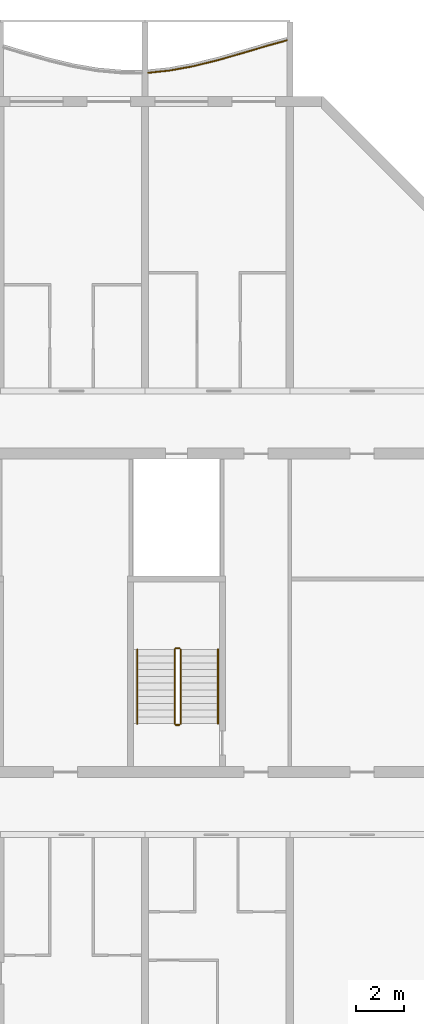
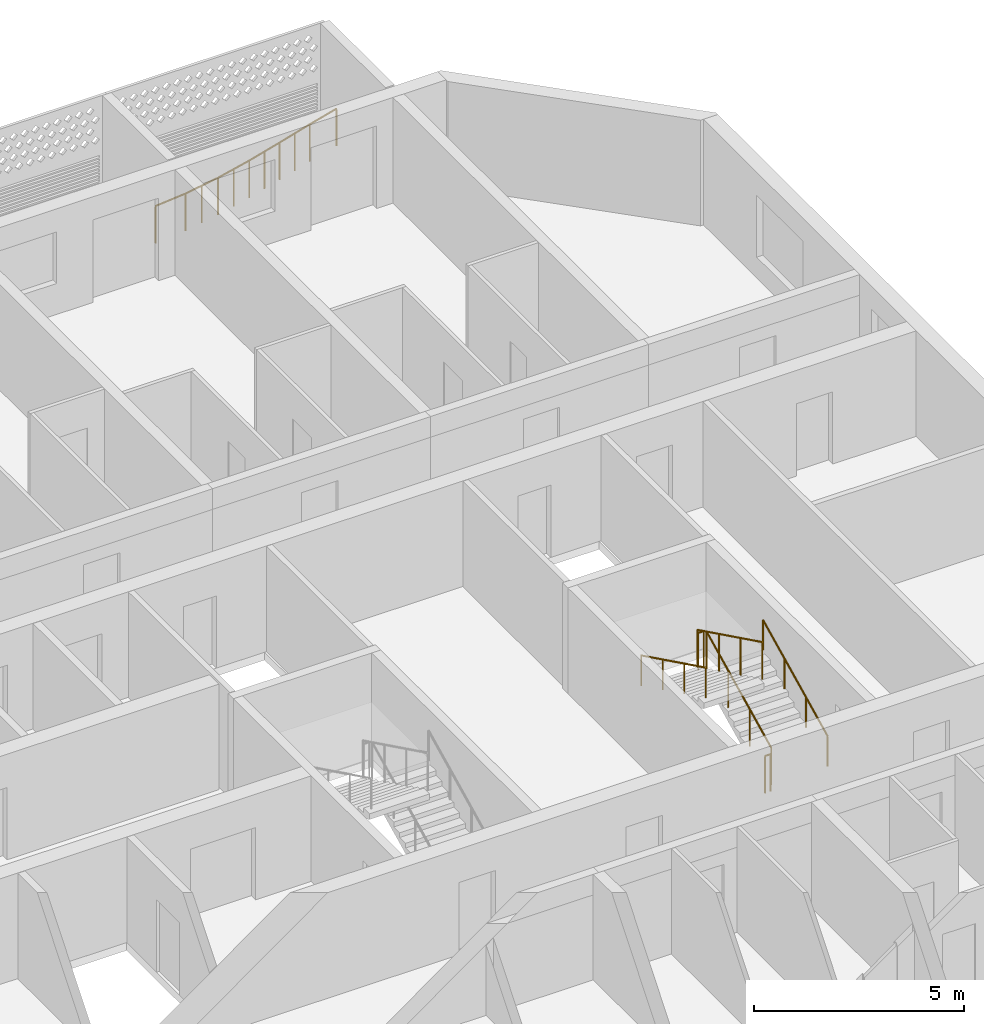
# One storey, part 32 of 33: 7 railings.
"""IFC4 building model written with IfcOpenShell, lengths in metres."""

from ifc_helpers import new_model, si_unit, direction, frame, origin, origin_2d, place, context, subcontext, project, spatial, circle, extrude, material, type_object, element, save


model = new_model("IFC4")

# Units and contexts
model_context = context("Model", 3, precision=1e-05, world=origin(), true_north=direction((0.0, 1.0)))
body_context = subcontext(model_context, "Body", "Model", "MODEL_VIEW")
ifc_project = project(units=[si_unit("LENGTHUNIT", "METRE"), si_unit("AREAUNIT", "SQUARE_METRE"), si_unit("VOLUMEUNIT", "CUBIC_METRE"), si_unit("PLANEANGLEUNIT", "RADIAN"), si_unit("MASSUNIT", "GRAM", prefix="KILO")], contexts=[model_context])

# Site, building, storey
site_placement = place(None, origin())
site = spatial("IfcSite", under=ifc_project, at=site_placement, CompositionType="ELEMENT")
building_placement = place(site_placement, origin())
building = spatial("IfcBuilding", under=site, at=building_placement, Name="Poui Terraces", CompositionType="ELEMENT")
storey_placement = place(building_placement, frame((0.0, 0.0, 135.60009765625)))
storey = spatial("IfcBuildingStorey", under=building, at=storey_placement, Name="L37", CompositionType="ELEMENT", Elevation=135.60009765625)

# Railings
ifc_material_1 = material(Name="Painted steel fretwork", Category="steel")
railing_type_1 = type_object("IfcRailingType", Name="BALCONY GUARD 1100", PredefinedType="GUARDRAIL", material=ifc_material_1)
railing_1_placement = place(storey_placement, frame((78.125, 43.59130859375, 0.0)))
element("IfcRailing", 1, at=railing_1_placement, inside=storey, type_object=railing_type_1, Name="BALCONY GUARD", PredefinedType="GUARDRAIL", context=body_context, shape_type="SweptSolid", body=[
    extrude(circle(Radius=0.02392578125, at=origin_2d()), frame((0.0, 0.0, 1.076171875), z_axis=(0.994684934875, 0.102965432712, 0.0), x_axis=(-0.102965432712, 0.994684934875, 0.0)), (0.0, 0.0, 1.0), 0.879638671875),
    extrude(circle(Radius=0.02392578125, at=origin_2d()), frame((0.875, 0.090576171875, 1.076171875), z_axis=(0.983942855126, 0.178483774746, 0.0), x_axis=(-0.178483774746, 0.983942855126, 0.0)), (0.0, 0.0, 1.0), 1.016357421875),
    extrude(circle(Radius=0.02392578125, at=origin_2d()), frame((1.875, 0.27197265625, 1.076171875), z_axis=(0.970973389115, 0.239187536528, 0.0), x_axis=(-0.239187536528, 0.970973389115, 0.0)), (0.0, 0.0, 1.0), 1.02978515625),
    extrude(circle(Radius=0.02392578125, at=origin_2d()), frame((2.875, 0.518310546875, 1.076171875), z_axis=(0.96141758688, 0.275093118121, 0.0), x_axis=(-0.275093118121, 0.96141758688, 0.0)), (0.0, 0.0, 1.0), 1.0400390625),
    extrude(circle(Radius=0.02392578125, at=origin_2d()), frame((3.875, 0.804443359375, 1.076171875), z_axis=(0.958774495191, 0.284168026651, 0.0), x_axis=(-0.284168026651, 0.958774495191, 0.0)), (0.0, 0.0, 1.0), 1.04296875),
    extrude(circle(Radius=0.02392578125, at=origin_2d()), frame((4.875, 1.100830078125, 1.076171875), z_axis=(0.963348277861, 0.268253789427, 0.0), x_axis=(-0.268253789427, 0.963348277861, 0.0)), (0.0, 0.0, 1.0), 0.908203125),
    extrude(circle(Radius=0.02099609375, at=origin_2d()), origin(), (0.0, 0.0, 1.0), 1.052001953125),
    extrude(circle(Radius=0.02099609375, at=origin_2d()), frame((0.875, 0.090576171875, 0.0)), (0.0, 0.0, 1.0), 1.052001953125),
    extrude(circle(Radius=0.02099609375, at=origin_2d()), frame((1.375, 0.18115234375, 0.0)), (0.0, 0.0, 1.0), 1.052001953125),
    extrude(circle(Radius=0.02099609375, at=origin_2d()), frame((1.875, 0.27197265625, 0.0)), (0.0, 0.0, 1.0), 1.052001953125),
    extrude(circle(Radius=0.02099609375, at=origin_2d()), frame((2.375, 0.39501953125, 0.0)), (0.0, 0.0, 1.0), 1.052001953125),
    extrude(circle(Radius=0.02099609375, at=origin_2d()), frame((2.875, 0.518310546875, 0.0)), (0.0, 0.0, 1.0), 1.052001953125),
    extrude(circle(Radius=0.02099609375, at=origin_2d()), frame((3.375, 0.661376953125, 0.0)), (0.0, 0.0, 1.0), 1.052001953125),
    extrude(circle(Radius=0.02099609375, at=origin_2d()), frame((3.875, 0.804443359375, 0.0)), (0.0, 0.0, 1.0), 1.052001953125),
    extrude(circle(Radius=0.02099609375, at=origin_2d()), frame((4.375, 0.95263671875, 0.0)), (0.0, 0.0, 1.0), 1.052001953125),
    extrude(circle(Radius=0.02099609375, at=origin_2d()), frame((4.875, 1.100830078125, 0.0)), (0.0, 0.0, 1.0), 1.052001953125),
    extrude(circle(Radius=0.02099609375, at=origin_2d()), frame((5.75, 1.344482421875, 0.0)), (0.0, 0.0, 1.0), 1.052001953125),
])
ifc_material_2 = material(Name="Galvanised steel balustrade", Category="steel")
railing_type_2 = type_object("IfcRailingType", Name="STAIR GUARD 1100", PredefinedType="GUARDRAIL", material=ifc_material_2)
railing_2_placement = place(storey_placement, frame((79.47509765625, 16.60009765625, 0.137451171875)))
element("IfcRailing", 2, at=railing_2_placement, inside=storey, type_object=railing_type_2, Name="L37 ST-E stair guard 1", PredefinedType="GUARDRAIL", context=body_context, shape_type="SweptSolid", body=[
    extrude(circle(Radius=0.02392578125, at=origin_2d()), frame((0.0, 0.0, 1.076171875), z_axis=(0.0, 0.897606190399, 0.440798283751), x_axis=(-1.0, 0.0, 0.0)), (0.0, 0.0, 1.0), 3.43115234375),
    extrude(circle(Radius=0.02099609375, at=origin_2d()), origin(), (0.0, 0.0, 1.0), 1.052001953125),
    extrude(circle(Radius=0.02099609375, at=origin_2d()), frame((0.0, 1.026611328125, 0.504150390625)), (0.0, 0.0, 1.0), 1.052001953125),
    extrude(circle(Radius=0.02099609375, at=origin_2d()), frame((0.0, 2.05322265625, 1.00830078125)), (0.0, 0.0, 1.0), 1.052001953125),
    extrude(circle(Radius=0.02099609375, at=origin_2d()), frame((0.0, 3.079833984375, 1.512451171875)), (0.0, 0.0, 1.0), 1.052001953125),
])
railing_3_placement = place(storey_placement, frame((79.425048828125, 19.72998046875, 1.64990234375)))
element("IfcRailing", 3, at=railing_3_placement, inside=storey, type_object=railing_type_2, Name="L37 ST-E stair guard 2", PredefinedType="GUARDRAIL", context=body_context, shape_type="SweptSolid", body=[
    extrude(circle(Radius=0.02392578125, at=origin_2d()), frame((0.0, 0.0, 1.076171875), z_axis=(-1.0, 0.0, 0.0), x_axis=(0.0, -1.0, 0.0)), (0.0, 0.0, 1.0), 0.150146484375),
    extrude(circle(Radius=0.02099609375, at=origin_2d()), origin(), (0.0, 0.0, 1.0), 1.052001953125),
    extrude(circle(Radius=0.02099609375, at=origin_2d()), frame((-0.150146484375, 0.0, 0.0)), (0.0, 0.0, 1.0), 1.052001953125),
])
railing_4_placement = place(storey_placement, frame((79.22509765625, 19.679931640625, 1.787353515625)))
element("IfcRailing", 4, at=railing_4_placement, inside=storey, type_object=railing_type_2, Name="L37 ST-E stair guard 3", PredefinedType="GUARDRAIL", context=body_context, shape_type="SweptSolid", body=[
    extrude(circle(Radius=0.02392578125, at=origin_2d()), frame((0.0, 0.0, 1.076171875), z_axis=(0.0, -0.897606190399, 0.440798283751), x_axis=(1.0, 0.0, 0.0)), (0.0, 0.0, 1.0), 3.43115234375),
    extrude(circle(Radius=0.02099609375, at=origin_2d()), origin(), (0.0, 0.0, 1.0), 1.052001953125),
    extrude(circle(Radius=0.02099609375, at=origin_2d()), frame((0.0, -1.026611328125, 0.504150390625)), (0.0, 0.0, 1.0), 1.052001953125),
    extrude(circle(Radius=0.02099609375, at=origin_2d()), frame((0.0, -2.05322265625, 1.00830078125)), (0.0, 0.0, 1.0), 1.052001953125),
    extrude(circle(Radius=0.02099609375, at=origin_2d()), frame((0.0, -3.079833984375, 1.512451171875)), (0.0, 0.0, 1.0), 1.052001953125),
])
railing_5_placement = place(storey_placement, frame((79.425048828125, 16.550048828125, 0.0)))
element("IfcRailing", 5, at=railing_5_placement, inside=storey, type_object=railing_type_2, Name="L37 ST-E stair guard 4", PredefinedType="GUARDRAIL", context=body_context, shape_type="SweptSolid", body=[
    extrude(circle(Radius=0.02392578125, at=origin_2d()), frame((0.0, 0.0, 1.076171875), z_axis=(-1.0, 0.0, 0.0), x_axis=(0.0, -1.0, 0.0)), (0.0, 0.0, 1.0), 0.150146484375),
    extrude(circle(Radius=0.02099609375, at=origin_2d()), origin(), (0.0, 0.0, 1.0), 1.052001953125),
    extrude(circle(Radius=0.02099609375, at=origin_2d()), frame((-0.150146484375, 0.0, 0.0)), (0.0, 0.0, 1.0), 1.052001953125),
])
ifc_material_3 = material(Name="Stainless steel handrail", Category="steel")
railing_type_3 = type_object("IfcRailingType", Name="STAIR HANDRAIL 900", PredefinedType="HANDRAIL", material=ifc_material_3)
railing_6_placement = place(storey_placement, frame((81.02490234375, 16.60009765625, 0.137451171875)))
element("IfcRailing", 6, at=railing_6_placement, inside=storey, type_object=railing_type_3, Name="L37 ST-E stair handrail 1", PredefinedType="HANDRAIL", context=body_context, shape_type="SweptSolid", body=[
    extrude(circle(Radius=0.02392578125, at=origin_2d()), frame((0.0, 0.0, 0.8759765625), z_axis=(0.0, 0.897606190399, 0.440798283751), x_axis=(-1.0, 0.0, 0.0)), (0.0, 0.0, 1.0), 3.43115234375),
    extrude(circle(Radius=0.02099609375, at=origin_2d()), origin(), (0.0, 0.0, 1.0), 0.851806640625),
    extrude(circle(Radius=0.02099609375, at=origin_2d()), frame((0.0, 1.026611328125, 0.504150390625)), (0.0, 0.0, 1.0), 0.851806640625),
    extrude(circle(Radius=0.02099609375, at=origin_2d()), frame((0.0, 2.05322265625, 1.00830078125)), (0.0, 0.0, 1.0), 0.851806640625),
    extrude(circle(Radius=0.02099609375, at=origin_2d()), frame((0.0, 3.079833984375, 1.512451171875)), (0.0, 0.0, 1.0), 0.851806640625),
])
railing_7_placement = place(storey_placement, frame((77.675048828125, 19.679931640625, 1.787353515625)))
element("IfcRailing", 7, at=railing_7_placement, inside=storey, type_object=railing_type_3, Name="L37 ST-E stair handrail 2", PredefinedType="HANDRAIL", context=body_context, shape_type="SweptSolid", body=[
    extrude(circle(Radius=0.02392578125, at=origin_2d()), frame((0.0, 0.0, 0.8759765625), z_axis=(0.0, -0.897606190399, 0.440798283751), x_axis=(1.0, 0.0, 0.0)), (0.0, 0.0, 1.0), 3.43115234375),
    extrude(circle(Radius=0.02099609375, at=origin_2d()), origin(), (0.0, 0.0, 1.0), 0.851806640625),
    extrude(circle(Radius=0.02099609375, at=origin_2d()), frame((0.0, -1.026611328125, 0.504150390625)), (0.0, 0.0, 1.0), 0.851806640625),
    extrude(circle(Radius=0.02099609375, at=origin_2d()), frame((0.0, -2.05322265625, 1.00830078125)), (0.0, 0.0, 1.0), 0.851806640625),
    extrude(circle(Radius=0.02099609375, at=origin_2d()), frame((0.0, -3.079833984375, 1.512451171875)), (0.0, 0.0, 1.0), 0.851806640625),
])

save(model, "model.ifc")
